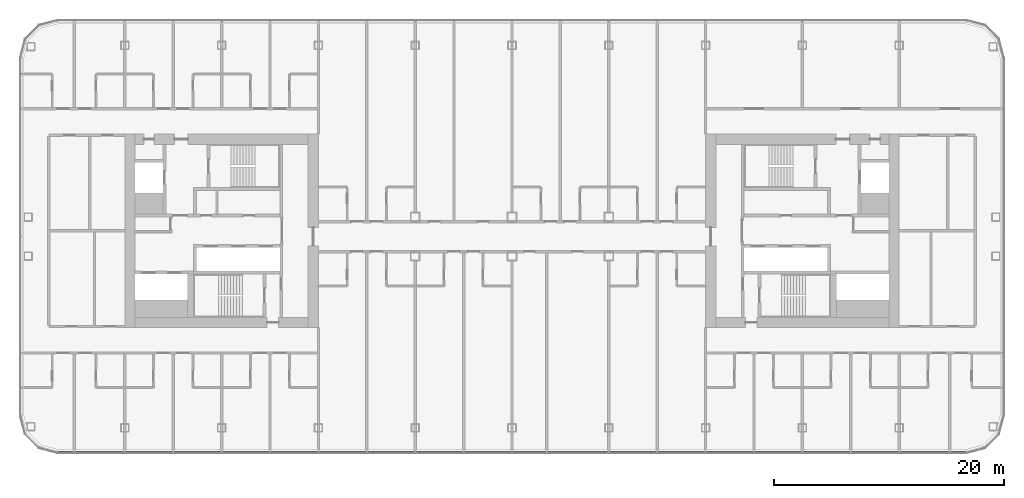
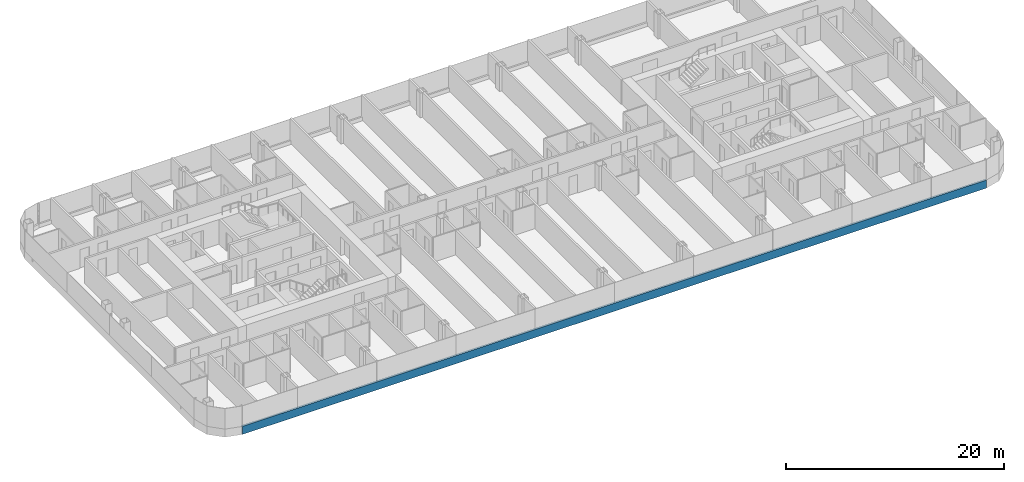
# One storey, part 4 of 27: 1 member, 1 element without a shape of its own.
"""IFC4 building model written with IfcOpenShell, lengths in metres."""

from ifc_helpers import new_model, si_unit, direction, frame, origin, origin_2d, place, context, subcontext, project, spatial, rectangle, extrude, material, layer, layer_set, material_profile, profile_set, type_object, element, aggregate, save


model = new_model("IFC4")

# Units and contexts
model_context = context("Model", 3, precision=1e-05, world=origin(), true_north=direction((0.0, 1.0)))
body_context = subcontext(model_context, "Body", "Model", "MODEL_VIEW")
ifc_project = project(units=[si_unit("LENGTHUNIT", "METRE"), si_unit("AREAUNIT", "SQUARE_METRE"), si_unit("VOLUMEUNIT", "CUBIC_METRE"), si_unit("PLANEANGLEUNIT", "RADIAN"), si_unit("MASSUNIT", "GRAM", prefix="KILO")], contexts=[model_context])

# Site, building, storey
site_placement = place(None, origin())
site = spatial("IfcSite", under=ifc_project, at=site_placement, CompositionType="ELEMENT")
building_placement = place(site_placement, origin())
building = spatial("IfcBuilding", under=site, at=building_placement, Name="Hakoniwa Tower and Hamabe Station Hall", CompositionType="ELEMENT")
storey_placement = place(building_placement, frame((0.0, 0.0, 166.199951171875)))
storey = spatial("IfcBuildingStorey", under=building, at=storey_placement, Name="L47", CompositionType="ELEMENT", Elevation=166.199951171875)

# Curtain wall, member
ifc_material_1 = material(Name="Dark low-e laminated glass", Category="glass")
ifc_layer = layer(ifc_material_1, 0.199951171875)
ifc_layer_set = layer_set([ifc_layer], Name="CW-1 UNITISED GUEST")
curtain_wall_type = type_object("IfcCurtainWallType", Name="CW-1 UNITISED GUEST", PredefinedType="NOTDEFINED", material=ifc_layer_set)
curtain_wall_placement = place(storey_placement, origin())
curtain_wall = element("IfcCurtainWall", 1, at=curtain_wall_placement, inside=storey, type_object=curtain_wall_type, Name="CW-1 curtain wall", PredefinedType="NOTDEFINED")
ifc_material_2 = material(Name="Aluminium 6063-T5 black anodised", Category="aluminium")
ifc_material_profile = material_profile(ifc_material_2, rectangle(XDim=0.199951171875, YDim=0.89990234375, at=origin_2d()), Name="CW SLAB-EDGE BAND 900X200")
ifc_profile_set = profile_set([ifc_material_profile], Name="Aluminium 6063-T5 black anodised")
member_type = type_object("IfcMemberType", Name="CW SLAB-EDGE BAND 900X200", PredefinedType="USERDEFINED", material=ifc_profile_set)
member_placement = place(storey_placement, frame((-39.439453125, -19.199951171875, -0.099853515625), z_axis=(1.0, 0.0, 0.0), x_axis=(0.0, 1.0, 0.0)))
member = element("IfcMember", 2, at=member_placement, type_object=member_type, Name="CW-1 transom", ObjectType="TRANSOM", PredefinedType="USERDEFINED", context=body_context, shape_type="SweptSolid", body=[
    extrude(rectangle(XDim=0.199951171875, YDim=0.89990234375, at=origin_2d()), origin(), (0.0, 0.0, 1.0), 78.87890625),
])
aggregate(curtain_wall, [member])

save(model, "model.ifc")
